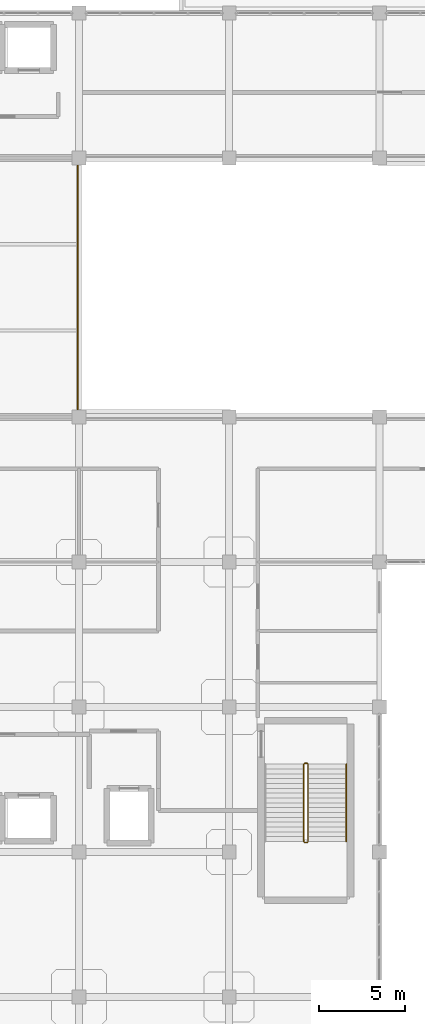
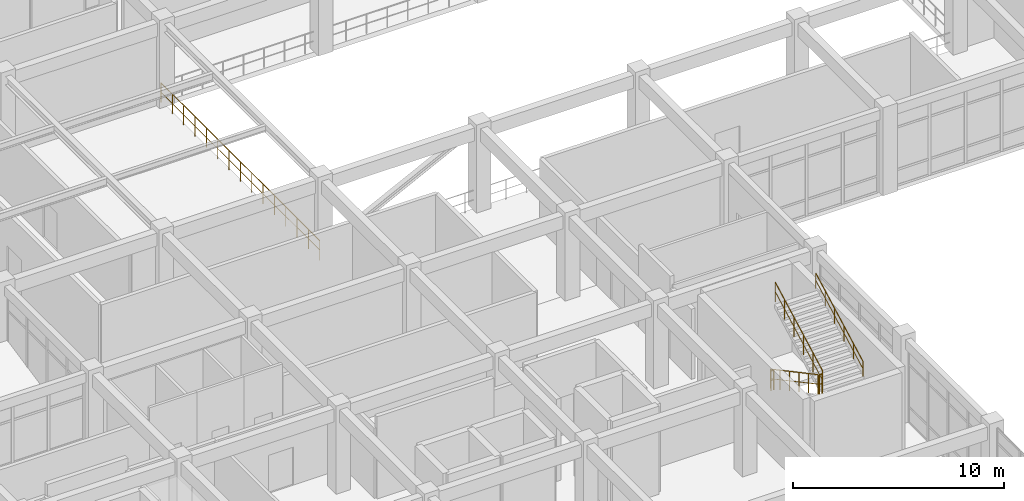
# One storey, part 115 of 124: 6 railings.
"""IFC4 building model written with IfcOpenShell, lengths in metres."""

from ifc_helpers import new_model, si_unit, derived_unit, direction, frame, origin, origin_2d, place, context, subcontext, project, spatial, circle, extrude, material, type_object, element, save


model = new_model("IFC4")

# Units and contexts
model_context = context("Model", 3, precision=1e-05, world=origin(), true_north=direction((0.0, 1.0)))
body_context = subcontext(model_context, "Body", "Model", "MODEL_VIEW")
ifc_project = project(units=[si_unit("LENGTHUNIT", "METRE"), si_unit("AREAUNIT", "SQUARE_METRE"), si_unit("VOLUMEUNIT", "CUBIC_METRE"), si_unit("PLANEANGLEUNIT", "RADIAN"), si_unit("MASSUNIT", "GRAM", prefix="KILO"), derived_unit("THERMALTRANSMITTANCEUNIT", [(si_unit("MASSUNIT", "GRAM", prefix="KILO"), 1), (si_unit("TIMEUNIT", "SECOND"), -3), (si_unit("THERMODYNAMICTEMPERATUREUNIT", "KELVIN"), -1)])], contexts=[model_context])

# Site, building, storey
site_placement = place(None, origin())
site = spatial("IfcSite", under=ifc_project, at=site_placement, CompositionType="ELEMENT")
building_placement = place(site_placement, origin())
building = spatial("IfcBuilding", under=site, at=building_placement, Name="Qinzheling Arcade Emporium", CompositionType="ELEMENT")
storey_placement = place(building_placement, frame((0.0, 0.0, 16.5)))
storey = spatial("IfcBuildingStorey", under=building, at=storey_placement, Name="L04", CompositionType="ELEMENT", Elevation=16.5)

# Railings
ifc_material_1 = material(Name="Galvanised powder-coated tubular steel", Category="steel")
railing_type_1 = type_object("IfcRailingType", Name="Painted Steel Stairwell Guard Railing 1150", PredefinedType="GUARDRAIL", material=ifc_material_1)
railing_1_placement = place(storey_placement, frame((65.219970703125, 30.280029296875, 0.14990234375)))
element("IfcRailing", 1, at=railing_1_placement, inside=storey, type_object=railing_type_1, Name="L04 ST01 stair guard 1", PredefinedType="GUARDRAIL", context=body_context, shape_type="SweptSolid", body=[
    extrude(circle(Radius=0.02392578125, at=origin_2d()), frame((0.0, 0.0, 1.1259765625), z_axis=(0.0, -0.881467115574, 0.472245406714), x_axis=(1.0, 0.0, 0.0)), (0.0, 0.0, 1.0), 5.08251953125),
    extrude(circle(Radius=0.01611328125, at=origin_2d()), frame((0.0, 0.0, 0.574951171875), z_axis=(0.0, -0.881467115574, 0.472245406714), x_axis=(1.0, 0.0, 0.0)), (0.0, 0.0, 1.0), 5.08251953125),
    extrude(circle(Radius=0.02099609375, at=origin_2d()), origin(), (0.0, 0.0, 1.0), 1.101806640625),
    extrude(circle(Radius=0.02099609375, at=origin_2d()), frame((0.0, -0.89599609375, 0.47998046875)), (0.0, 0.0, 1.0), 1.101806640625),
    extrude(circle(Radius=0.02099609375, at=origin_2d()), frame((0.0, -1.7919921875, 0.9599609375)), (0.0, 0.0, 1.0), 1.101806640625),
    extrude(circle(Radius=0.02099609375, at=origin_2d()), frame((0.0, -2.68798828125, 1.440185546875)), (0.0, 0.0, 1.0), 1.101806640625),
    extrude(circle(Radius=0.02099609375, at=origin_2d()), frame((0.0, -3.583984375, 1.920166015625)), (0.0, 0.0, 1.0), 1.101806640625),
    extrude(circle(Radius=0.02099609375, at=origin_2d()), frame((0.0, -4.47998046875, 2.400146484375)), (0.0, 0.0, 1.0), 1.101806640625),
])
railing_2_placement = place(storey_placement, frame((65.27001953125, 25.75, 2.550048828125)))
element("IfcRailing", 2, at=railing_2_placement, inside=storey, type_object=railing_type_1, Name="L04 ST01 stair guard 2", PredefinedType="GUARDRAIL", context=body_context, shape_type="SweptSolid", body=[
    extrude(circle(Radius=0.02392578125, at=origin_2d()), frame((0.0, 0.0, 1.1259765625), z_axis=(1.0, 0.0, 0.0), x_axis=(0.0, 1.0, 0.0)), (0.0, 0.0, 1.0), 0.14990234375),
    extrude(circle(Radius=0.01611328125, at=origin_2d()), frame((0.0, 0.0, 0.574951171875), z_axis=(1.0, 0.0, 0.0), x_axis=(0.0, 1.0, 0.0)), (0.0, 0.0, 1.0), 0.14990234375),
    extrude(circle(Radius=0.02099609375, at=origin_2d()), origin(), (0.0, 0.0, 1.0), 1.101806640625),
    extrude(circle(Radius=0.02099609375, at=origin_2d()), frame((0.14990234375, 0.0, 0.0)), (0.0, 0.0, 1.0), 1.101806640625),
])
railing_3_placement = place(storey_placement, frame((65.469970703125, 25.800048828125, 2.699951171875)))
element("IfcRailing", 3, at=railing_3_placement, inside=storey, type_object=railing_type_1, Name="L04 ST01 stair guard 3", PredefinedType="GUARDRAIL", context=body_context, shape_type="SweptSolid", body=[
    extrude(circle(Radius=0.02392578125, at=origin_2d()), frame((0.0, 0.0, 1.1259765625), z_axis=(0.0, 0.881467115574, 0.472245406714), x_axis=(-1.0, 0.0, 0.0)), (0.0, 0.0, 1.0), 5.08251953125),
    extrude(circle(Radius=0.01611328125, at=origin_2d()), frame((0.0, 0.0, 0.574951171875), z_axis=(0.0, 0.881467115574, 0.472245406714), x_axis=(-1.0, 0.0, 0.0)), (0.0, 0.0, 1.0), 5.08251953125),
    extrude(circle(Radius=0.02099609375, at=origin_2d()), origin(), (0.0, 0.0, 1.0), 1.101806640625),
    extrude(circle(Radius=0.02099609375, at=origin_2d()), frame((0.0, 0.89599609375, 0.47998046875)), (0.0, 0.0, 1.0), 1.101806640625),
    extrude(circle(Radius=0.02099609375, at=origin_2d()), frame((0.0, 1.7919921875, 0.9599609375)), (0.0, 0.0, 1.0), 1.101806640625),
    extrude(circle(Radius=0.02099609375, at=origin_2d()), frame((0.0, 2.68798828125, 1.440185546875)), (0.0, 0.0, 1.0), 1.101806640625),
    extrude(circle(Radius=0.02099609375, at=origin_2d()), frame((0.0, 3.583984375, 1.920166015625)), (0.0, 0.0, 1.0), 1.101806640625),
    extrude(circle(Radius=0.02099609375, at=origin_2d()), frame((0.0, 4.47998046875, 2.400146484375)), (0.0, 0.0, 1.0), 1.101806640625),
])
railing_4_placement = place(storey_placement, frame((65.27001953125, 30.330078125, 0.0)))
element("IfcRailing", 4, at=railing_4_placement, inside=storey, type_object=railing_type_1, Name="L04 ST01 stair guard 4", PredefinedType="GUARDRAIL", context=body_context, shape_type="SweptSolid", body=[
    extrude(circle(Radius=0.02392578125, at=origin_2d()), frame((0.0, 0.0, 1.1259765625), z_axis=(1.0, 0.0, 0.0), x_axis=(0.0, 1.0, 0.0)), (0.0, 0.0, 1.0), 0.14990234375),
    extrude(circle(Radius=0.01611328125, at=origin_2d()), frame((0.0, 0.0, 0.574951171875), z_axis=(1.0, 0.0, 0.0), x_axis=(0.0, 1.0, 0.0)), (0.0, 0.0, 1.0), 0.14990234375),
    extrude(circle(Radius=0.02099609375, at=origin_2d()), origin(), (0.0, 0.0, 1.0), 1.101806640625),
    extrude(circle(Radius=0.02099609375, at=origin_2d()), frame((0.14990234375, 0.0, 0.0)), (0.0, 0.0, 1.0), 1.101806640625),
])
railing_5_placement = place(storey_placement, frame((52.1201171875, 50.3701171875, 0.0)))
element("IfcRailing", 5, at=railing_5_placement, inside=storey, type_object=railing_type_1, Name="Atrium Void Guard L04 W", PredefinedType="GUARDRAIL", context=body_context, shape_type="SweptSolid", body=[
    extrude(circle(Radius=0.02392578125, at=origin_2d()), frame((0.0, 0.0, 1.1259765625), z_axis=(0.0, 1.0, 0.0), x_axis=(-1.0, 0.0, 0.0)), (0.0, 0.0, 1.0), 15.059814453125),
    extrude(circle(Radius=0.01611328125, at=origin_2d()), frame((0.0, 0.0, 0.574951171875), z_axis=(0.0, 1.0, 0.0), x_axis=(-1.0, 0.0, 0.0)), (0.0, 0.0, 1.0), 15.059814453125),
    extrude(circle(Radius=0.02099609375, at=origin_2d()), origin(), (0.0, 0.0, 1.0), 1.101806640625),
    extrude(circle(Radius=0.02099609375, at=origin_2d()), frame((0.0, 1.07568359375, 0.0)), (0.0, 0.0, 1.0), 1.101806640625),
    extrude(circle(Radius=0.02099609375, at=origin_2d()), frame((0.0, 2.1513671875, 0.0)), (0.0, 0.0, 1.0), 1.101806640625),
    extrude(circle(Radius=0.02099609375, at=origin_2d()), frame((0.0, 3.22705078125, 0.0)), (0.0, 0.0, 1.0), 1.101806640625),
    extrude(circle(Radius=0.02099609375, at=origin_2d()), frame((0.0, 4.302734375, 0.0)), (0.0, 0.0, 1.0), 1.101806640625),
    extrude(circle(Radius=0.02099609375, at=origin_2d()), frame((0.0, 5.37841796875, 0.0)), (0.0, 0.0, 1.0), 1.101806640625),
    extrude(circle(Radius=0.02099609375, at=origin_2d()), frame((0.0, 6.4541015625, 0.0)), (0.0, 0.0, 1.0), 1.101806640625),
    extrude(circle(Radius=0.02099609375, at=origin_2d()), frame((0.0, 7.52978515625, 0.0)), (0.0, 0.0, 1.0), 1.101806640625),
    extrude(circle(Radius=0.02099609375, at=origin_2d()), frame((0.0, 8.605712890625, 0.0)), (0.0, 0.0, 1.0), 1.101806640625),
    extrude(circle(Radius=0.02099609375, at=origin_2d()), frame((0.0, 9.681396484375, 0.0)), (0.0, 0.0, 1.0), 1.101806640625),
    extrude(circle(Radius=0.02099609375, at=origin_2d()), frame((0.0, 10.757080078125, 0.0)), (0.0, 0.0, 1.0), 1.101806640625),
    extrude(circle(Radius=0.02099609375, at=origin_2d()), frame((0.0, 11.832763671875, 0.0)), (0.0, 0.0, 1.0), 1.101806640625),
    extrude(circle(Radius=0.02099609375, at=origin_2d()), frame((0.0, 12.908447265625, 0.0)), (0.0, 0.0, 1.0), 1.101806640625),
    extrude(circle(Radius=0.02099609375, at=origin_2d()), frame((0.0, 13.984130859375, 0.0)), (0.0, 0.0, 1.0), 1.101806640625),
    extrude(circle(Radius=0.02099609375, at=origin_2d()), frame((0.0, 15.059814453125, 0.0)), (0.0, 0.0, 1.0), 1.101806640625),
])
ifc_material_2 = material(Name="Brushed stainless steel 304", Category="steel")
railing_type_2 = type_object("IfcRailingType", Name="Stainless Steel Wall Handrail 900", PredefinedType="HANDRAIL", material=ifc_material_2)
railing_6_placement = place(storey_placement, frame((67.68994140625, 25.800048828125, 2.699951171875)))
element("IfcRailing", 6, at=railing_6_placement, inside=storey, type_object=railing_type_2, Name="L04 ST01 stair handrail 2", PredefinedType="HANDRAIL", context=body_context, shape_type="SweptSolid", body=[
    extrude(circle(Radius=0.02392578125, at=origin_2d()), frame((0.0, 0.0, 0.8759765625), z_axis=(0.0, 0.881467115574, 0.472245406714), x_axis=(-1.0, 0.0, 0.0)), (0.0, 0.0, 1.0), 5.08251953125),
    extrude(circle(Radius=0.01611328125, at=origin_2d()), frame((0.0, 0.0, 0.449951171875), z_axis=(0.0, 0.881467115574, 0.472245406714), x_axis=(-1.0, 0.0, 0.0)), (0.0, 0.0, 1.0), 5.08251953125),
    extrude(circle(Radius=0.02099609375, at=origin_2d()), origin(), (0.0, 0.0, 1.0), 0.851806640625),
    extrude(circle(Radius=0.02099609375, at=origin_2d()), frame((0.0, 0.89599609375, 0.47998046875)), (0.0, 0.0, 1.0), 0.851806640625),
    extrude(circle(Radius=0.02099609375, at=origin_2d()), frame((0.0, 1.7919921875, 0.9599609375)), (0.0, 0.0, 1.0), 0.851806640625),
    extrude(circle(Radius=0.02099609375, at=origin_2d()), frame((0.0, 2.68798828125, 1.440185546875)), (0.0, 0.0, 1.0), 0.851806640625),
    extrude(circle(Radius=0.02099609375, at=origin_2d()), frame((0.0, 3.583984375, 1.920166015625)), (0.0, 0.0, 1.0), 0.851806640625),
    extrude(circle(Radius=0.02099609375, at=origin_2d()), frame((0.0, 4.47998046875, 2.400146484375)), (0.0, 0.0, 1.0), 0.851806640625),
])

save(model, "model.ifc")
